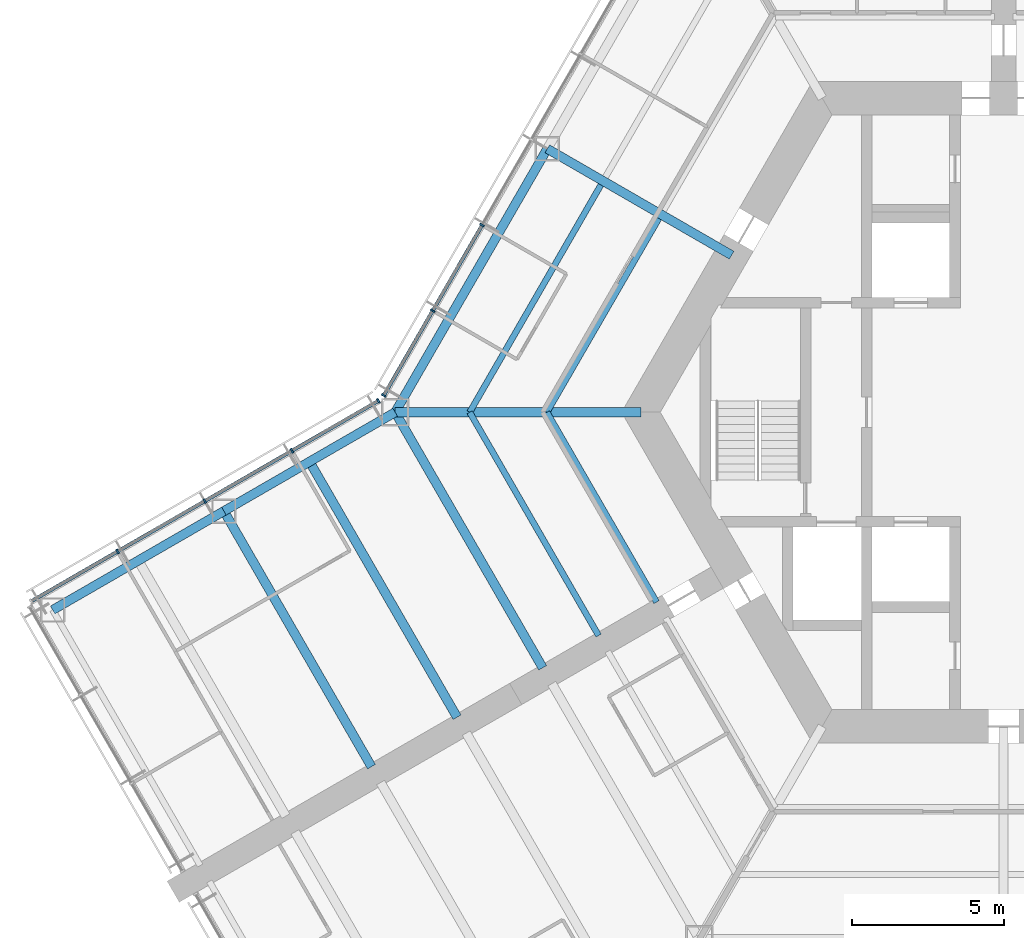
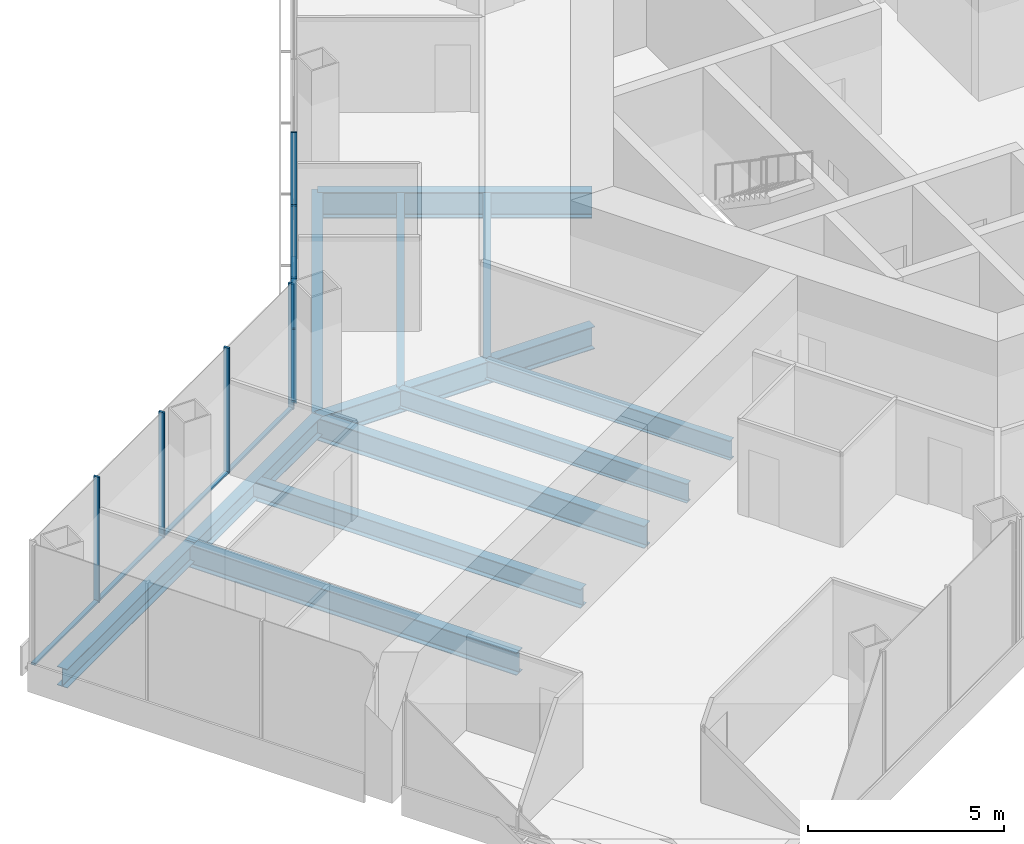
# One storey, part 4 of 18: 13 members, 12 beams, 2 elements without a shape of their own.
"""IFC4 building model written with IfcOpenShell, lengths in metres."""

from ifc_helpers import new_model, si_unit, direction, frame, origin, origin_2d, place, context, subcontext, project, spatial, rectangle, i_section, extrude, material, material_profile, profile_set, type_object, element, aggregate, save


model = new_model("IFC4")

# Units and contexts
model_context = context("Model", 3, precision=1e-05, world=origin(), true_north=direction((0.0, 1.0)))
body_context = subcontext(model_context, "Body", "Model", "MODEL_VIEW")
ifc_project = project(units=[si_unit("LENGTHUNIT", "METRE"), si_unit("AREAUNIT", "SQUARE_METRE"), si_unit("VOLUMEUNIT", "CUBIC_METRE"), si_unit("PLANEANGLEUNIT", "RADIAN"), si_unit("MASSUNIT", "GRAM", prefix="KILO")], contexts=[model_context])

# Site, building, storey
site_placement = place(None, origin())
site = spatial("IfcSite", under=ifc_project, at=site_placement, CompositionType="ELEMENT")
building_placement = place(site_placement, origin())
building = spatial("IfcBuilding", under=site, at=building_placement, Name="Kasaneha Research Tower", CompositionType="ELEMENT")
storey_placement = place(building_placement, frame((0.0, 0.0, 108.0)))
storey = spatial("IfcBuildingStorey", under=building, at=storey_placement, Name="L27", CompositionType="ELEMENT", Elevation=108.0)

# Beams
ifc_material_1 = material(Name="Steel SN490B", Category="steel")
ifc_material_profile_1 = material_profile(ifc_material_1, i_section(OverallWidth=0.199951171875, OverallDepth=0.60009765625, WebThickness=0.010986328125, FlangeThickness=0.01708984375, FilletRadius=0.012939453125, at=origin_2d()), Name="H-600x200x11x17")
ifc_profile_set_1 = profile_set([ifc_material_profile_1], Name="Steel SN490B")
beam_type_1 = type_object("IfcBeamType", Name="B1-3 secondary beam H-600x200x11x17", PredefinedType="JOIST", material=ifc_profile_set_1)
beam_1_placement = place(storey_placement, frame((-15.010986328125, 0.0, -0.449951171875), z_axis=(0.499994443168, 0.866028611999, 0.0), x_axis=(-0.866028611999, 0.499994443168, 0.0)))
element("IfcBeam", 1, at=beam_1_placement, inside=storey, type_object=beam_type_1, Name="Secondary beam RS150R1 L27", PredefinedType="JOIST", context=body_context, shape_type="SweptSolid", body=[
    extrude(i_section(OverallWidth=0.199951171875, OverallDepth=0.60009765625, WebThickness=0.010986328125, FlangeThickness=0.01708984375, FilletRadius=0.012939453125, at=origin_2d()), origin(), (0.0, 0.0, 1.0), 7.35546875),
])
beam_2_placement = place(storey_placement, frame((-17.551513671875, 0.0, -0.449951171875), z_axis=(0.5000050195, 0.866022505755, 0.0), x_axis=(-0.866022505755, 0.5000050195, 0.0)))
element("IfcBeam", 2, at=beam_2_placement, inside=storey, type_object=beam_type_1, Name="Secondary beam RS150R2 L27", PredefinedType="JOIST", context=body_context, shape_type="SweptSolid", body=[
    extrude(i_section(OverallWidth=0.199951171875, OverallDepth=0.60009765625, WebThickness=0.010986328125, FlangeThickness=0.01708984375, FilletRadius=0.012939453125, at=origin_2d()), origin(), (0.0, 0.0, 1.0), 8.6259765625),
])
beam_3_placement = place(storey_placement, frame((-15.010986328125, 0.0, -0.449951171875), z_axis=(0.499972735707, -0.866041144259, 0.0), x_axis=(0.866041144259, 0.499972735707, 0.0)))
element("IfcBeam", 3, at=beam_3_placement, inside=storey, type_object=beam_type_1, Name="Secondary beam RS210L1 L27", PredefinedType="JOIST", context=body_context, shape_type="SweptSolid", body=[
    extrude(i_section(OverallWidth=0.199951171875, OverallDepth=0.60009765625, WebThickness=0.010986328125, FlangeThickness=0.01708984375, FilletRadius=0.012939453125, at=origin_2d()), origin(), (0.0, 0.0, 1.0), 7.20556640625),
])
beam_4_placement = place(storey_placement, frame((-17.551513671875, 0.0, -0.449951171875), z_axis=(0.500020829043, -0.866013377797, 0.0), x_axis=(0.866013377797, 0.500020829043, 0.0)))
element("IfcBeam", 4, at=beam_4_placement, inside=storey, type_object=beam_type_1, Name="Secondary beam RS210L2 L27", PredefinedType="JOIST", context=body_context, shape_type="SweptSolid", body=[
    extrude(i_section(OverallWidth=0.199951171875, OverallDepth=0.60009765625, WebThickness=0.010986328125, FlangeThickness=0.01708984375, FilletRadius=0.012939453125, at=origin_2d()), origin(), (0.0, 0.0, 1.0), 8.475830078125),
])
ifc_material_2 = material(Name="Steel SN490B", Category="steel")
ifc_material_profile_2 = material_profile(ifc_material_2, i_section(OverallWidth=0.300048828125, OverallDepth=0.58203125, WebThickness=0.011962890625, FlangeThickness=0.01708984375, FilletRadius=0.012939453125, at=origin_2d()), Name="H-582x300x12x17")
ifc_profile_set_2 = profile_set([ifc_material_profile_2], Name="Steel SN490B")
beam_type_2 = type_object("IfcBeamType", Name="B2-3 secondary beam H-582x300x12x17", PredefinedType="JOIST", material=ifc_profile_set_2)
beam_5_placement = place(storey_placement, frame((-22.814697265625, -1.625, -0.44091796875), z_axis=(0.500010041276, -0.866019606374, 0.0), x_axis=(0.866019606374, 0.500010041276, 0.0)))
element("IfcBeam", 5, at=beam_5_placement, inside=storey, type_object=beam_type_2, Name="Secondary beam WBBP1 L27", PredefinedType="JOIST", context=body_context, shape_type="SweptSolid", body=[
    extrude(i_section(OverallWidth=0.300048828125, OverallDepth=0.58203125, WebThickness=0.011962890625, FlangeThickness=0.01708984375, FilletRadius=0.012939453125, at=origin_2d()), origin(), (0.0, 0.0, 1.0), 9.699951171875),
])

# Curtain wall, members
ifc_material_3 = material(Name="Glass and aluminium", Category="aluminium")
curtain_wall_type = type_object("IfcCurtainWallType", Name="Low-rise office curtain wall", PredefinedType="USERDEFINED", material=ifc_material_3)
curtain_wall_1_placement = place(storey_placement, origin())
curtain_wall_1 = element("IfcCurtainWall", 6, at=curtain_wall_1_placement, inside=storey, type_object=curtain_wall_type, Name="CW-O1 L27 run 12a", ObjectType="UNITISED CURTAIN WALL", PredefinedType="USERDEFINED")
ifc_material_4 = material(Name="Aluminium 6063-T6", Category="aluminium")
ifc_material_profile_3 = material_profile(ifc_material_4, rectangle(XDim=0.06005859375, YDim=0.159912109375, at=origin_2d()), Name="CW-O1 mullion 60x160")
ifc_profile_set_3 = profile_set([ifc_material_profile_3], Name="Aluminium 6063-T6")
member_type_1 = type_object("IfcMemberType", Name="CW-O1 mullion", PredefinedType="MULLION", material=ifc_profile_set_3)
member_1_placement = place(storey_placement, frame((-17.142822265625, 6.148681640625, 0.0), z_axis=(0.0, 0.0, 1.0), x_axis=(-0.49999996188, -0.866025425793, 0.0)))
member_1 = element("IfcMember", 7, at=member_1_placement, type_object=member_type_1, Name="CW-O1 mullion 5", PredefinedType="MULLION", context=body_context, shape_type="SweptSolid", body=[
    extrude(rectangle(XDim=0.06005859375, YDim=0.159912109375, at=origin_2d()), origin(), (0.0, 0.0, 1.0), 3.89990234375),
])
member_2_placement = place(storey_placement, frame((-18.76611328125, 3.33740234375, 0.0), z_axis=(0.0, 0.0, 1.0), x_axis=(-0.49999996188, -0.866025425793, 0.0)))
member_2 = element("IfcMember", 8, at=member_2_placement, type_object=member_type_1, Name="CW-O1 mullion 6", PredefinedType="MULLION", context=body_context, shape_type="SweptSolid", body=[
    extrude(rectangle(XDim=0.06005859375, YDim=0.159912109375, at=origin_2d()), origin(), (0.0, 0.0, 1.0), 3.89990234375),
])
member_3_placement = place(storey_placement, frame((-20.374267578125, 0.5517578125, 0.0), z_axis=(0.0, 0.0, 1.0), x_axis=(-0.49999996188, -0.866025425793, 0.0)))
member_3 = element("IfcMember", 9, at=member_3_placement, type_object=member_type_1, Name="CW-O1 mullion 7", PredefinedType="MULLION", context=body_context, shape_type="SweptSolid", body=[
    extrude(rectangle(XDim=0.06005859375, YDim=0.159912109375, at=origin_2d()), origin(), (0.0, 0.0, 1.0), 3.89990234375),
])

curtain_wall_2_placement = place(storey_placement, origin())
curtain_wall_2 = element("IfcCurtainWall", 10, at=curtain_wall_2_placement, inside=storey, type_object=curtain_wall_type, Name="CW-O1 L27 run 13a", ObjectType="UNITISED CURTAIN WALL", PredefinedType="USERDEFINED")
member_4_placement = place(storey_placement, frame((-20.5517578125, 0.374267578125, 0.0), z_axis=(0.0, 0.0, 1.0), x_axis=(-0.866025411464, -0.499999986699, 0.0)))
member_4 = element("IfcMember", 11, at=member_4_placement, type_object=member_type_1, Name="CW-O1 mullion 1", PredefinedType="MULLION", context=body_context, shape_type="SweptSolid", body=[
    extrude(rectangle(XDim=0.06005859375, YDim=0.159912109375, at=origin_2d()), origin(), (0.0, 0.0, 1.0), 3.89990234375),
])
member_5_placement = place(storey_placement, frame((-23.39208984375, -1.265625, 0.0), z_axis=(0.0, 0.0, 1.0), x_axis=(-0.866025411464, -0.499999986699, 0.0)))
member_5 = element("IfcMember", 12, at=member_5_placement, type_object=member_type_1, Name="CW-O1 mullion 2", PredefinedType="MULLION", context=body_context, shape_type="SweptSolid", body=[
    extrude(rectangle(XDim=0.06005859375, YDim=0.159912109375, at=origin_2d()), origin(), (0.0, 0.0, 1.0), 3.89990234375),
])
member_6_placement = place(storey_placement, frame((-26.258544921875, -2.920654296875, 0.0), z_axis=(0.0, 0.0, 1.0), x_axis=(-0.866025411464, -0.499999986699, 0.0)))
member_6 = element("IfcMember", 13, at=member_6_placement, type_object=member_type_1, Name="CW-O1 mullion 3", PredefinedType="MULLION", context=body_context, shape_type="SweptSolid", body=[
    extrude(rectangle(XDim=0.06005859375, YDim=0.159912109375, at=origin_2d()), origin(), (0.0, 0.0, 1.0), 3.89990234375),
])
member_7_placement = place(storey_placement, frame((-29.125, -4.575439453125, 0.0), z_axis=(0.0, 0.0, 1.0), x_axis=(-0.866025411464, -0.499999986699, 0.0)))
member_7 = element("IfcMember", 14, at=member_7_placement, type_object=member_type_1, Name="CW-O1 mullion 4", PredefinedType="MULLION", context=body_context, shape_type="SweptSolid", body=[
    extrude(rectangle(XDim=0.06005859375, YDim=0.159912109375, at=origin_2d()), origin(), (0.0, 0.0, 1.0), 3.89990234375),
])

# Member
ifc_material_5 = material(Name="Aluminium 6063-T6", Category="aluminium")
ifc_material_profile_4 = material_profile(ifc_material_5, rectangle(XDim=0.1201171875, YDim=0.06005859375, at=origin_2d()), Name="CW-O1 transom 120x60")
ifc_profile_set_4 = profile_set([ifc_material_profile_4], Name="Aluminium 6063-T6")
member_type_2 = type_object("IfcMemberType", Name="CW-O1 transom", PredefinedType="USERDEFINED", material=ifc_profile_set_4)
member_8_placement = place(storey_placement, frame((-17.15771484375, 6.122802734375, 0.030029296875), z_axis=(-0.500012062035, -0.866018439653, 0.0), x_axis=(0.866018439653, -0.500012062035, 0.0)))
member_8 = element("IfcMember", 15, at=member_8_placement, type_object=member_type_2, Name="CW-O1 transom 5", ObjectType="TRANSOM", PredefinedType="USERDEFINED", context=body_context, shape_type="SweptSolid", body=[
    extrude(rectangle(XDim=0.1201171875, YDim=0.06005859375, at=origin_2d()), origin(), (0.0, 0.0, 1.0), 3.1865234375),
])

member_9_placement = place(storey_placement, frame((-18.781005859375, 3.311279296875, 0.030029296875), z_axis=(-0.499999210213, -0.866025859768, 0.0), x_axis=(0.866025859768, -0.499999210213, 0.0)))
member_9 = element("IfcMember", 16, at=member_9_placement, type_object=member_type_2, Name="CW-O1 transom 6", ObjectType="TRANSOM", PredefinedType="USERDEFINED", context=body_context, shape_type="SweptSolid", body=[
    extrude(rectangle(XDim=0.1201171875, YDim=0.06005859375, at=origin_2d()), origin(), (0.0, 0.0, 1.0), 3.15625),
])

aggregate(curtain_wall_1, [member_1, member_2, member_3, member_8, member_9])

member_10_placement = place(storey_placement, frame((-20.577880859375, 0.359130859375, 0.030029296875), z_axis=(-0.866022692473, -0.500004696101, 0.0), x_axis=(0.500004696101, -0.866022692473, 0.0)))
member_10 = element("IfcMember", 17, at=member_10_placement, type_object=member_type_2, Name="CW-O1 transom 1", ObjectType="TRANSOM", PredefinedType="USERDEFINED", context=body_context, shape_type="SweptSolid", body=[
    extrude(rectangle(XDim=0.1201171875, YDim=0.06005859375, at=origin_2d()), origin(), (0.0, 0.0, 1.0), 3.2197265625),
])

member_11_placement = place(storey_placement, frame((-23.418212890625, -1.28076171875, 0.030029296875), z_axis=(-0.86604797581, -0.499960902066, 0.0), x_axis=(0.499960902066, -0.86604797581, 0.0)))
member_11 = element("IfcMember", 18, at=member_11_placement, type_object=member_type_2, Name="CW-O1 transom 2", ObjectType="TRANSOM", PredefinedType="USERDEFINED", context=body_context, shape_type="SweptSolid", body=[
    extrude(rectangle(XDim=0.1201171875, YDim=0.06005859375, at=origin_2d()), origin(), (0.0, 0.0, 1.0), 3.249755859375),
])

member_12_placement = place(storey_placement, frame((-26.28466796875, -2.935546875, 0.030029296875), z_axis=(-0.86599666273, -0.500049777664, 0.0), x_axis=(0.500049777664, -0.86599666273, 0.0)))
member_12 = element("IfcMember", 19, at=member_12_placement, type_object=member_type_2, Name="CW-O1 transom 3", ObjectType="TRANSOM", PredefinedType="USERDEFINED", context=body_context, shape_type="SweptSolid", body=[
    extrude(rectangle(XDim=0.1201171875, YDim=0.06005859375, at=origin_2d()), origin(), (0.0, 0.0, 1.0), 3.249755859375),
])

member_13_placement = place(storey_placement, frame((-29.15087890625, -4.590576171875, 0.030029296875), z_axis=(-0.866041647767, -0.499971863542, 0.0), x_axis=(0.499971863542, -0.866041647767, 0.0)))
member_13 = element("IfcMember", 20, at=member_13_placement, type_object=member_type_2, Name="CW-O1 transom 4", ObjectType="TRANSOM", PredefinedType="USERDEFINED", context=body_context, shape_type="SweptSolid", body=[
    extrude(rectangle(XDim=0.1201171875, YDim=0.06005859375, at=origin_2d()), origin(), (0.0, 0.0, 1.0), 3.219970703125),
])

aggregate(curtain_wall_2, [member_4, member_5, member_6, member_7, member_10, member_11, member_12, member_13])

# Beams
ifc_material_6 = material(Name="Steel SN490B", Category="steel")
ifc_material_profile_5 = material_profile(ifc_material_6, i_section(OverallWidth=0.300048828125, OverallDepth=0.699951171875, WebThickness=0.012939453125, FlangeThickness=0.02392578125, FilletRadius=0.01806640625, at=origin_2d()), Name="H-700x300x13x24")
ifc_profile_set_5 = profile_set([ifc_material_profile_5], Name="Steel SN490B")
beam_type_3 = type_object("IfcBeamType", Name="G1-3 radial girder H-700x300x13x24", PredefinedType="BEAM", material=ifc_profile_set_5)
beam_6_placement = place(storey_placement, frame((-11.92236328125, 0.0, -0.5), z_axis=(-1.0, 0.0, 0.0), x_axis=(0.0, -1.0, 0.0)))
element("IfcBeam", 21, at=beam_6_placement, inside=storey, type_object=beam_type_3, Name="Radial girder RV180 L27", PredefinedType="BEAM", context=body_context, shape_type="SweptSolid", body=[
    extrude(i_section(OverallWidth=0.300048828125, OverallDepth=0.699951171875, WebThickness=0.012939453125, FlangeThickness=0.02392578125, FilletRadius=0.01806640625, at=origin_2d()), origin(), (0.0, 0.0, 1.0), 8.07763671875),
])
ifc_material_7 = material(Name="Steel SN490B", Category="steel")
ifc_material_profile_6 = material_profile(ifc_material_7, i_section(OverallWidth=0.300048828125, OverallDepth=0.800048828125, WebThickness=0.013916015625, FlangeThickness=0.02587890625, FilletRadius=0.01806640625, at=origin_2d()), Name="H-800x300x14x26")
ifc_profile_set_6 = profile_set([ifc_material_profile_6], Name="Steel SN490B")
beam_type_4 = type_object("IfcBeamType", Name="G2-3 radial girder H-800x300x14x26", PredefinedType="BEAM", material=ifc_profile_set_6)
beam_7_placement = place(storey_placement, frame((-8.941650390625, 5.16259765625, -0.550048828125), z_axis=(-0.866039713508, 0.499975214012, 0.0), x_axis=(-0.499975214012, -0.866039713508, 0.0)))
element("IfcBeam", 22, at=beam_7_placement, inside=storey, type_object=beam_type_4, Name="Radial girder RM150 L27", PredefinedType="BEAM", context=body_context, shape_type="SweptSolid", body=[
    extrude(i_section(OverallWidth=0.300048828125, OverallDepth=0.800048828125, WebThickness=0.013916015625, FlangeThickness=0.02587890625, FilletRadius=0.01806640625, at=origin_2d()), origin(), (0.0, 0.0, 1.0), 6.995361328125),
])
ifc_material_8 = material(Name="Steel SN490B", Category="steel")
ifc_material_profile_7 = material_profile(ifc_material_8, i_section(OverallWidth=0.300048828125, OverallDepth=0.69189453125, WebThickness=0.012939453125, FlangeThickness=0.02001953125, FilletRadius=0.01806640625, at=origin_2d()), Name="H-692x300x13x20")
ifc_profile_set_7 = profile_set([ifc_material_profile_7], Name="Steel SN490B")
beam_type_5 = type_object("IfcBeamType", Name="G3-3 plate edge girder H-692x300x13x20", PredefinedType="BEAM", material=ifc_profile_set_7)
beam_8_placement = place(storey_placement, frame((-20.0, 0.0, -0.49609375), z_axis=(0.500010041276, -0.866019606374, 0.0), x_axis=(0.866019606374, 0.500010041276, 0.0)))
element("IfcBeam", 23, at=beam_8_placement, inside=storey, type_object=beam_type_5, Name="Plate edge girder PEBP L27", PredefinedType="BEAM", context=body_context, shape_type="SweptSolid", body=[
    extrude(i_section(OverallWidth=0.300048828125, OverallDepth=0.69189453125, WebThickness=0.012939453125, FlangeThickness=0.02001953125, FilletRadius=0.01806640625, at=origin_2d()), origin(), (0.0, 0.0, 1.0), 9.699951171875),
])
ifc_material_9 = material(Name="Steel SN490B", Category="steel")
ifc_material_profile_8 = material_profile(ifc_material_9, i_section(OverallWidth=0.300048828125, OverallDepth=0.699951171875, WebThickness=0.012939453125, FlangeThickness=0.02392578125, FilletRadius=0.01806640625, at=origin_2d()), Name="H-700x300x13x24")
ifc_profile_set_8 = profile_set([ifc_material_profile_8], Name="Steel SN490B")
beam_type_6 = type_object("IfcBeamType", Name="G4-3 wing girder H-700x300x13x24", PredefinedType="BEAM", material=ifc_profile_set_8)
beam_9_placement = place(storey_placement, frame((-25.629150390625, -3.25, -0.5), z_axis=(0.500010041276, -0.866019606374, 0.0), x_axis=(0.866019606374, 0.500010041276, 0.0)))
element("IfcBeam", 24, at=beam_9_placement, inside=storey, type_object=beam_type_6, Name="Wing girder WGBP L27", PredefinedType="BEAM", context=body_context, shape_type="SweptSolid", body=[
    extrude(i_section(OverallWidth=0.300048828125, OverallDepth=0.699951171875, WebThickness=0.012939453125, FlangeThickness=0.02392578125, FilletRadius=0.01806640625, at=origin_2d()), origin(), (0.0, 0.0, 1.0), 9.699951171875),
])
ifc_material_10 = material(Name="Steel SN490B", Category="steel")
ifc_material_profile_9 = material_profile(ifc_material_10, i_section(OverallWidth=0.300048828125, OverallDepth=0.69189453125, WebThickness=0.012939453125, FlangeThickness=0.02001953125, FilletRadius=0.01806640625, at=origin_2d()), Name="H-692x300x13x20")
ifc_profile_set_9 = profile_set([ifc_material_profile_9], Name="Steel SN490B")
beam_type_7 = type_object("IfcBeamType", Name="SB1-3 spandrel beam H-692x300x13x20", PredefinedType="SPANDREL", material=ifc_profile_set_9)
beam_10_placement = place(storey_placement, frame((-20.0, 0.0, -0.49609375), z_axis=(0.500004234368, 0.866022959057, 0.0), x_axis=(-0.866022959057, 0.500004234368, 0.0)))
element("IfcBeam", 25, at=beam_10_placement, inside=storey, type_object=beam_type_7, Name="Spandrel beam SR150R L27", PredefinedType="SPANDREL", context=body_context, shape_type="SweptSolid", body=[
    extrude(i_section(OverallWidth=0.300048828125, OverallDepth=0.69189453125, WebThickness=0.012939453125, FlangeThickness=0.02001953125, FilletRadius=0.01806640625, at=origin_2d()), origin(), (0.0, 0.0, 1.0), 10.0),
])
ifc_material_11 = material(Name="Steel SN490B", Category="steel")
ifc_material_profile_10 = material_profile(ifc_material_11, i_section(OverallWidth=0.300048828125, OverallDepth=0.58203125, WebThickness=0.011962890625, FlangeThickness=0.01708984375, FilletRadius=0.012939453125, at=origin_2d()), Name="H-582x300x12x17")
ifc_profile_set_10 = profile_set([ifc_material_profile_10], Name="Steel SN490B")
beam_type_8 = type_object("IfcBeamType", Name="SB2-3 spandrel beam H-582x300x12x17", PredefinedType="SPANDREL", material=ifc_profile_set_10)
for number, where, z_axis, x_axis, name in (
    (26, (-20.0, 0.0, -0.44091796875), (-0.866024837091, -0.50000098154, 0.0), (0.50000098154, -0.866024837091, 0.0), "Spandrel beam WSBP1 L27"),
    (27, (-25.629150390625, -3.25, -0.44091796875), (-0.866024837091, -0.50000098154, 0.0), (0.50000098154, -0.866024837091, 0.0), "Spandrel beam WSBP2 L27"),
):
    element("IfcBeam", number, at=place(storey_placement, frame(where, z_axis=z_axis, x_axis=x_axis)), inside=storey, type_object=beam_type_8, Name=name, PredefinedType="SPANDREL", context=body_context, shape_type="SweptSolid", body=[
        extrude(i_section(OverallWidth=0.300048828125, OverallDepth=0.58203125, WebThickness=0.011962890625, FlangeThickness=0.01708984375, FilletRadius=0.012939453125, at=origin_2d()), origin(), (0.0, 0.0, 1.0), 6.5),
    ])

save(model, "model.ifc")
